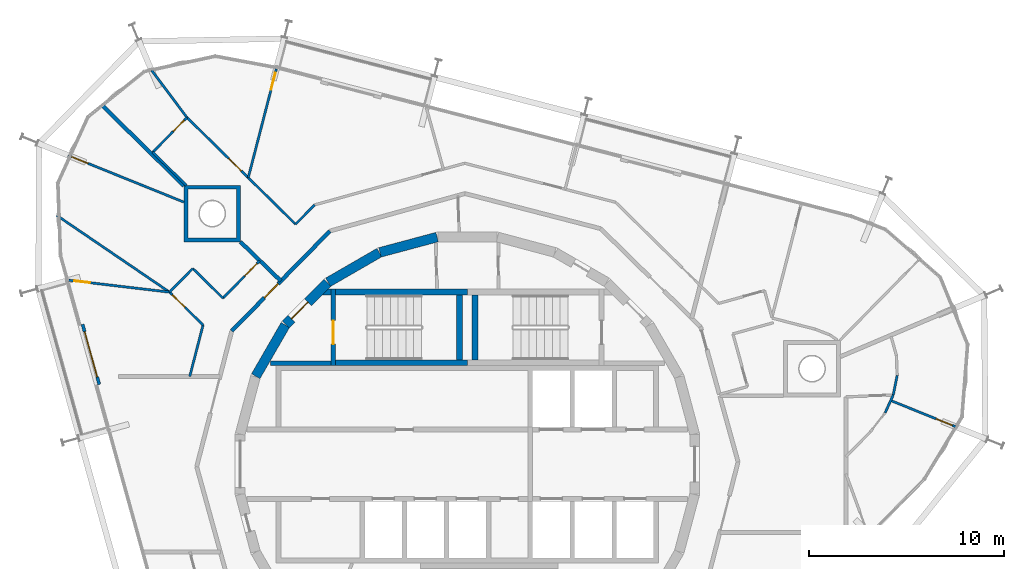
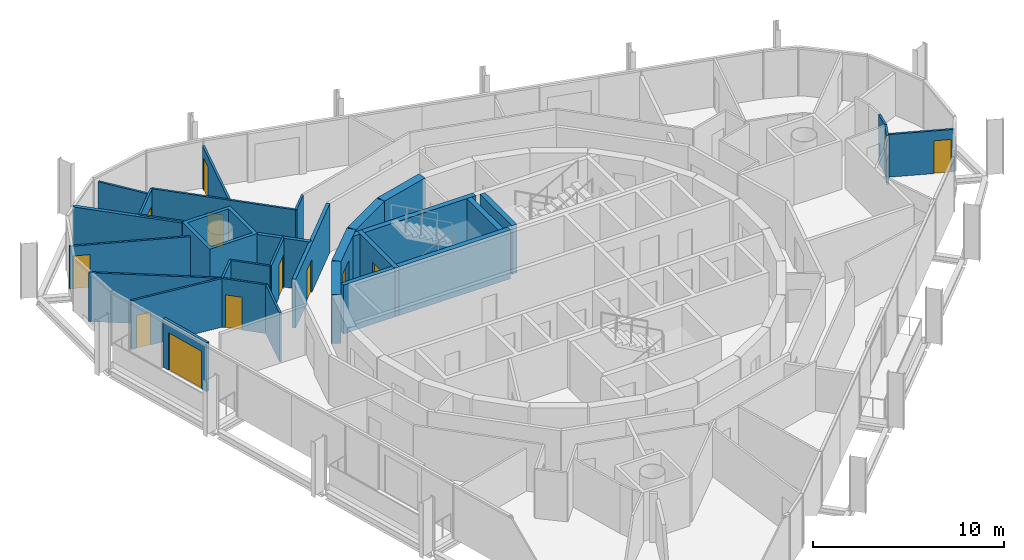
# One storey, part 12 of 15: 33 walls, 12 doors, 12 openings.
"""IFC4 building model written with IfcOpenShell, lengths in metres."""

from ifc_helpers import new_model, si_unit, direction, frame, frame_2d, origin, place, context, subcontext, project, spatial, polyline, rectangle, outline, extrude, material, layer, layer_set, type_object, element, fill, save


model = new_model("IFC4")

# Units and contexts
model_context = context("Model", 3, precision=1e-05, world=origin(), true_north=direction((0.0, 1.0)))
body_context = subcontext(model_context, "Body", "Model", "MODEL_VIEW")
ifc_project = project(units=[si_unit("LENGTHUNIT", "METRE"), si_unit("AREAUNIT", "SQUARE_METRE"), si_unit("VOLUMEUNIT", "CUBIC_METRE"), si_unit("PLANEANGLEUNIT", "RADIAN"), si_unit("MASSUNIT", "GRAM", prefix="KILO")], contexts=[model_context])

# Site, building, storey
site_placement = place(None, origin())
site = spatial("IfcSite", under=ifc_project, at=site_placement, CompositionType="ELEMENT")
building_placement = place(site_placement, origin())
building = spatial("IfcBuilding", under=site, at=building_placement, Name="Spindle Arch Residences", CompositionType="ELEMENT")
storey_placement = place(building_placement, frame((0.0, 0.0, 308.699951171875)))
storey = spatial("IfcBuildingStorey", under=building, at=storey_placement, Name="L79", CompositionType="ELEMENT", Elevation=308.699951171875)

# Walls
ifc_material_1 = material(Name="Concrete C50/60", Category="concrete")
ifc_layer_1 = layer(ifc_material_1, 0.5)
ifc_layer_set_1 = layer_set([ifc_layer_1], Name="Core outline wall 500")
wall_type_1 = type_object("IfcWallType", Name="Core outline wall 500", PredefinedType="SHEAR", material=ifc_layer_set_1)
for number, where, z_axis, x_axis, name in (
    (1, (-1.5498046875, 11.642822265625, 0.0), (0.0, 0.0, 1.0), (-0.965948410781, -0.258734743916, 0.0), "Core outline wall 13"),
    (2, (-4.510498046875, 10.84521484375, 0.0), (0.0, 0.0, 1.0), (-0.865975092491, -0.500087131594, 0.0), "Core outline wall 14"),
):
    element("IfcWall", number, at=place(storey_placement, frame(where, z_axis=z_axis, x_axis=x_axis)), inside=storey, type_object=wall_type_1, Name=name, PredefinedType="SHEAR", context=body_context, shape_type="SweptSolid", body=[
        extrude(rectangle(XDim=3.03271484375, YDim=0.5, at=frame_2d((1.516357421875, 0.0))), origin(), (0.0, 0.0, 1.0), 3.1201171875),
    ])

# Wall, opening, door
wall_1_placement = place(storey_placement, frame((-7.163818359375, 9.30810546875, 0.0), z_axis=(0.0, 0.0, 1.0), x_axis=(-0.707106781187, -0.707106781187, 0.0)))
wall_1 = element("IfcWall", 3, at=wall_1_placement, inside=storey, type_object=wall_type_1, Name="Core outline wall 15", PredefinedType="SHEAR", context=body_context, shape_type="SweptSolid", body=[
    extrude(rectangle(XDim=3.032470703125, YDim=0.5, at=frame_2d((1.51611328125, 0.0))), origin(), (0.0, 0.0, 1.0), 3.1201171875),
])
opening_1_placement = place(wall_1_placement, frame((1.416259765625, 0.0, 0.0)))
opening_1 = element("IfcOpeningElement", 4, at=opening_1_placement, cuts=wall_1, Name="Opening R8B1-AD02", PredefinedType="OPENING", context=body_context, shape_type="SweptSolid", body=[
    extrude(rectangle(XDim=1.199951171875, YDim=2.10009765625, at=frame_2d((0.60009765625, 1.050048828125))), frame((0.0, 0.260009765625, 0.0), z_axis=(0.0, -1.0, 0.0), x_axis=(1.0, 0.0, 0.0)), (0.0, 0.0, 1.0), 0.52001953125),
])
ifc_material_2 = material(Name="Steel, fire-resisting door", Category="steel")
door_type_1 = type_object("IfcDoorType", Name="Stair airlock door 1200x2100", OperationType="SINGLE_SWING_LEFT", PredefinedType="DOOR", material=ifc_material_2)
door_1_placement = place(opening_1_placement, origin())
door_1 = element("IfcDoor", 5, at=door_1_placement, inside=storey, type_object=door_type_1, Name="Stair airlock door R8B1-AD02", OperationType="SINGLE_SWING_RIGHT", OverallHeight=2.10009765625, OverallWidth=1.199951171875, PredefinedType="DOOR", context=body_context, shape_type="SweptSolid", body=[
    extrude(rectangle(XDim=1.199951171875, YDim=2.10009765625, at=frame_2d((0.60009765625, 1.050048828125))), frame((0.0, 0.02490234375, 0.0), z_axis=(0.0, -1.0, 0.0), x_axis=(1.0, 0.0, 0.0)), (0.0, 0.0, 1.0), 0.050048828125),
])
fill(opening_1, door_1)

# Wall
wall_2_placement = place(storey_placement, frame((-9.32861328125, 7.13671875, 0.0), z_axis=(0.0, 0.0, 1.0), x_axis=(-0.500087131594, -0.865975092491, 0.0)))
element("IfcWall", 6, at=wall_2_placement, inside=storey, type_object=wall_type_1, Name="Core outline wall 16", PredefinedType="SHEAR", context=body_context, shape_type="SweptSolid", body=[
    extrude(rectangle(XDim=3.03271484375, YDim=0.5, at=frame_2d((1.516357421875, 0.0))), origin(), (0.0, 0.0, 1.0), 3.1201171875),
])

# Wall, opening, door
ifc_material_3 = material(Name="Calcium silicate block, plastered")
ifc_layer_2 = layer(ifc_material_3, 0.199951171875)
ifc_layer_set_2 = layer_set([ifc_layer_2], Name="Corridor wall 200")
wall_type_2 = type_object("IfcWallType", Name="Corridor wall 200", PredefinedType="STANDARD", material=ifc_layer_set_2)
wall_3_placement = place(storey_placement, frame((-7.041015625, 11.953125, 0.0), z_axis=(0.0, 0.0, 1.0), x_axis=(-0.70090916255, -0.713250549143, 0.0)))
wall_3 = element("IfcWall", 7, at=wall_3_placement, inside=storey, type_object=wall_type_2, Name="Corridor wall R8B1-W012", PredefinedType="STANDARD", context=body_context, shape_type="SweptSolid", body=[
    extrude(rectangle(XDim=7.180908203125, YDim=0.199951171875, at=frame_2d((3.59033203125, 0.0))), origin(), (0.0, 0.0, 1.0), 3.1201171875),
])
opening_2_placement = place(wall_3_placement, frame((3.79052734375, 0.0, 0.0)))
opening_2 = element("IfcOpeningElement", 8, at=opening_2_placement, cuts=wall_3, Name="Opening R8B1-FD03", PredefinedType="OPENING", context=body_context, shape_type="SweptSolid", body=[
    extrude(rectangle(XDim=1.0, YDim=2.10009765625, at=frame_2d((0.5, 1.050048828125))), frame((0.0, 0.10986328125, 0.0), z_axis=(0.0, -1.0, 0.0), x_axis=(1.0, 0.0, 0.0)), (0.0, 0.0, 1.0), 0.219970703125),
])
ifc_material_4 = material(Name="Timber, fire-resisting door set", Category="wood")
door_type_2 = type_object("IfcDoorType", Name="Flat entrance door 1000x2100", OperationType="NOTDEFINED", PredefinedType="DOOR", material=ifc_material_4)
door_2_placement = place(opening_2_placement, origin())
door_2 = element("IfcDoor", 9, at=door_2_placement, inside=storey, type_object=door_type_2, Name="Flat entrance door R8B1-FD03", OperationType="SINGLE_SWING_LEFT", OverallHeight=2.10009765625, OverallWidth=1.0, PredefinedType="DOOR", context=body_context, shape_type="SweptSolid", body=[
    extrude(rectangle(XDim=1.0, YDim=2.10009765625, at=frame_2d((0.5, 1.050048828125))), frame((0.0, 0.02490234375, 0.0), z_axis=(0.0, -1.0, 0.0), x_axis=(1.0, 0.0, 0.0)), (0.0, 0.0, 1.0), 0.050048828125),
])
fill(opening_2, door_2)

# Wall
ifc_material_5 = material(Name="Plasterboard on steel studs", Category="steel")
ifc_layer_3 = layer(ifc_material_5, 0.1201171875)
ifc_layer_set_3 = layer_set([ifc_layer_3], Name="Flat partition 120")
wall_type_3 = type_object("IfcWallType", Name="Flat partition 120", PredefinedType="PARTITIONING", material=ifc_layer_set_3)
wall_4_placement = place(storey_placement, frame((-7.8291015625, 13.291259765625, 0.0), z_axis=(0.0, 0.0, 1.0), x_axis=(-0.700840583087, -0.713317935494, 0.0)))
element("IfcWall", 10, at=wall_4_placement, inside=storey, type_object=wall_type_3, Name="Flat partition R8B1-W043", PredefinedType="PARTITIONING", context=body_context, shape_type="SweptSolid", body=[
    extrude(rectangle(XDim=1.38916015625, YDim=0.1201171875, at=frame_2d((0.694580078125, 0.0))), origin(), (0.0, 0.0, 1.0), 3.1201171875),
])

# Wall, opening, door
wall_5_placement = place(storey_placement, frame((-8.802734375, 12.30029296875, 0.0), z_axis=(0.0, 0.0, 1.0), x_axis=(-0.713240430861, 0.700919458844, 0.0)))
wall_5 = element("IfcWall", 11, at=wall_5_placement, inside=storey, type_object=wall_type_3, Name="Flat partition R8B1-W044", PredefinedType="PARTITIONING", context=body_context, shape_type="SweptSolid", body=[
    extrude(rectangle(XDim=7.80712890625, YDim=0.1201171875, at=frame_2d((3.903564453125, 0.0))), origin(), (0.0, 0.0, 1.0), 3.1201171875),
])
opening_3_placement = place(wall_5_placement, frame((3.901123046875, 0.0, 0.0)))
opening_3 = element("IfcOpeningElement", 12, at=opening_3_placement, cuts=wall_5, Name="Opening R8B1-ID07", PredefinedType="OPENING", context=body_context, shape_type="SweptSolid", body=[
    extrude(rectangle(XDim=0.89990234375, YDim=2.10009765625, at=frame_2d((0.449951171875, 1.050048828125))), frame((0.0, 0.070068359375, 0.0), z_axis=(0.0, -1.0, 0.0), x_axis=(1.0, 0.0, 0.0)), (0.0, 0.0, 1.0), 0.14013671875),
])
ifc_material_6 = material(Name="Timber door set", Category="wood")
door_type_3 = type_object("IfcDoorType", Name="Room door 900x2100", OperationType="NOTDEFINED", PredefinedType="DOOR", material=ifc_material_6)
door_3_placement = place(opening_3_placement, origin())
door_3 = element("IfcDoor", 13, at=door_3_placement, inside=storey, type_object=door_type_3, Name="Room door R8B1-ID07", OperationType="SINGLE_SWING_LEFT", OverallHeight=2.10009765625, OverallWidth=0.89990234375, PredefinedType="DOOR", context=body_context, shape_type="SweptSolid", body=[
    extrude(rectangle(XDim=0.89990234375, YDim=2.10009765625, at=frame_2d((0.449951171875, 1.050048828125))), frame((0.0, 0.02490234375, 0.0), z_axis=(0.0, -1.0, 0.0), x_axis=(1.0, 0.0, 0.0)), (0.0, 0.0, 1.0), 0.050048828125),
])
fill(opening_3, door_3)

wall_6_placement = place(storey_placement, frame((-14.37109375, 17.7724609375, 0.0), z_axis=(0.0, 0.0, 1.0), x_axis=(-0.700928101034, -0.713231937859, 0.0)))
wall_6 = element("IfcWall", 14, at=wall_6_placement, inside=storey, type_object=wall_type_3, Name="Flat partition R8B1-W045", PredefinedType="PARTITIONING", context=body_context, shape_type="SweptSolid", body=[
    extrude(rectangle(XDim=2.500244140625, YDim=0.1201171875, at=frame_2d((1.25, 0.0))), origin(), (0.0, 0.0, 1.0), 3.1201171875),
])
opening_4_placement = place(wall_6_placement, frame((0.199951171875, 0.0, 0.0)))
opening_4 = element("IfcOpeningElement", 15, at=opening_4_placement, cuts=wall_6, Name="Opening R8B1-BD02", PredefinedType="OPENING", context=body_context, shape_type="SweptSolid", body=[
    extrude(rectangle(XDim=0.800048828125, YDim=2.10009765625, at=frame_2d((0.39990234375, 1.050048828125))), frame((0.0, 0.070068359375, 0.0), z_axis=(0.0, -1.0, 0.0), x_axis=(1.0, 0.0, 0.0)), (0.0, 0.0, 1.0), 0.14013671875),
])
ifc_material_7 = material(Name="Timber door set", Category="wood")
door_type_4 = type_object("IfcDoorType", Name="Bathroom door 800x2100", OperationType="NOTDEFINED", PredefinedType="DOOR", material=ifc_material_7)
door_4_placement = place(opening_4_placement, origin())
door_4 = element("IfcDoor", 16, at=door_4_placement, inside=storey, type_object=door_type_4, Name="Bathroom door R8B1-BD02", OperationType="SINGLE_SWING_RIGHT", OverallHeight=2.10009765625, OverallWidth=0.800048828125, PredefinedType="DOOR", context=body_context, shape_type="SweptSolid", body=[
    extrude(rectangle(XDim=0.800048828125, YDim=2.10009765625, at=frame_2d((0.39990234375, 1.050048828125))), frame((0.0, 0.02490234375, 0.0), z_axis=(0.0, -1.0, 0.0), x_axis=(1.0, 0.0, 0.0)), (0.0, 0.0, 1.0), 0.050048828125),
])
fill(opening_4, door_4)

# Wall
wall_7_placement = place(storey_placement, frame((-16.12353515625, 15.9892578125, 0.0), z_axis=(0.0, 0.0, 1.0), x_axis=(0.713298294795, -0.700860572898, 0.0)))
element("IfcWall", 17, at=wall_7_placement, inside=storey, type_object=wall_type_3, Name="Flat partition R8B1-W046", PredefinedType="PARTITIONING", context=body_context, shape_type="SweptSolid", body=[
    extrude(rectangle(XDim=2.414306640625, YDim=0.1201171875, at=frame_2d((1.20703125, 0.0))), origin(), (0.0, 0.0, 1.0), 3.1201171875),
])

# Wall, opening, door
wall_8_placement = place(storey_placement, frame((-10.64208984375, 10.4287109375, 0.0), z_axis=(0.0, 0.0, 1.0), x_axis=(-0.700897237058, -0.713262268092, 0.0)))
wall_8 = element("IfcWall", 18, at=wall_8_placement, inside=storey, type_object=wall_type_3, Name="Flat partition R8B1-W051", PredefinedType="PARTITIONING", context=body_context, shape_type="SweptSolid", body=[
    extrude(rectangle(XDim=2.685302734375, YDim=0.1201171875, at=frame_2d((1.3427734375, 0.0))), origin(), (0.0, 0.0, 1.0), 3.1201171875),
])
opening_5_placement = place(wall_8_placement, frame((0.199951171875, 0.0, 0.0)))
opening_5 = element("IfcOpeningElement", 19, at=opening_5_placement, cuts=wall_8, Name="Opening R8B1-ID09", PredefinedType="OPENING", context=body_context, shape_type="SweptSolid", body=[
    extrude(rectangle(XDim=0.89990234375, YDim=2.10009765625, at=frame_2d((0.449951171875, 1.050048828125))), frame((0.0, 0.070068359375, 0.0), z_axis=(0.0, -1.0, 0.0), x_axis=(1.0, 0.0, 0.0)), (0.0, 0.0, 1.0), 0.14013671875),
])
door_5_placement = place(opening_5_placement, origin())
door_5 = element("IfcDoor", 20, at=door_5_placement, inside=storey, type_object=door_type_3, Name="Room door R8B1-ID09", OperationType="SINGLE_SWING_LEFT", OverallHeight=2.10009765625, OverallWidth=0.89990234375, PredefinedType="DOOR", context=body_context, shape_type="SweptSolid", body=[
    extrude(rectangle(XDim=0.89990234375, YDim=2.10009765625, at=frame_2d((0.449951171875, 1.050048828125))), frame((0.0, 0.02490234375, 0.0), z_axis=(0.0, -1.0, 0.0), x_axis=(1.0, 0.0, 0.0)), (0.0, 0.0, 1.0), 0.050048828125),
])
fill(opening_5, door_5)

# Walls
wall_9_placement = place(storey_placement, frame((-12.524169921875, 8.513427734375, 0.0), z_axis=(0.0, 0.0, 1.0), x_axis=(-0.713272241211, 0.700887087852, 0.0)))
element("IfcWall", 21, at=wall_9_placement, inside=storey, type_object=wall_type_3, Name="Flat partition R8B1-W052", PredefinedType="PARTITIONING", context=body_context, shape_type="SweptSolid", body=[
    extrude(rectangle(XDim=2.16845703125, YDim=0.1201171875, at=frame_2d((1.084228515625, 0.0))), origin(), (0.0, 0.0, 1.0), 3.1201171875),
])
wall_10_placement = place(storey_placement, frame((-14.07080078125, 10.033203125, 0.0), z_axis=(0.0, 0.0, 1.0), x_axis=(-0.700903812832, -0.713255806255, 0.0)))
element("IfcWall", 22, at=wall_10_placement, inside=storey, type_object=wall_type_3, Name="Flat partition R8B1-W053", PredefinedType="PARTITIONING", context=body_context, shape_type="SweptSolid", body=[
    extrude(rectangle(XDim=1.69970703125, YDim=0.1201171875, at=frame_2d((0.849853515625, 0.0))), origin(), (0.0, 0.0, 1.0), 3.1201171875),
])

# Wall, opening, door
wall_11_placement = place(storey_placement, frame((-15.26220703125, 8.82080078125, 0.0), z_axis=(0.0, 0.0, 1.0), x_axis=(0.713216332019, -0.700943980459, 0.0)))
wall_11 = element("IfcWall", 23, at=wall_11_placement, inside=storey, type_object=wall_type_3, Name="Flat partition R8B1-W054", PredefinedType="PARTITIONING", context=body_context, shape_type="SweptSolid", body=[
    extrude(rectangle(XDim=2.4072265625, YDim=0.1201171875, at=frame_2d((1.20361328125, 0.0))), origin(), (0.0, 0.0, 1.0), 3.1201171875),
])
opening_6_placement = place(wall_11_placement, frame((0.199951171875, 0.0, 0.0)))
opening_6 = element("IfcOpeningElement", 24, at=opening_6_placement, cuts=wall_11, Name="Opening R8B1-ID10", PredefinedType="OPENING", context=body_context, shape_type="SweptSolid", body=[
    extrude(rectangle(XDim=0.89990234375, YDim=2.10009765625, at=frame_2d((0.449951171875, 1.050048828125))), frame((0.0, 0.070068359375, 0.0), z_axis=(0.0, -1.0, 0.0), x_axis=(1.0, 0.0, 0.0)), (0.0, 0.0, 1.0), 0.14013671875),
])
door_6_placement = place(opening_6_placement, origin())
door_6 = element("IfcDoor", 25, at=door_6_placement, inside=storey, type_object=door_type_3, Name="Room door R8B1-ID10", OperationType="SINGLE_SWING_LEFT", OverallHeight=2.10009765625, OverallWidth=0.89990234375, PredefinedType="DOOR", context=body_context, shape_type="SweptSolid", body=[
    extrude(rectangle(XDim=0.89990234375, YDim=2.10009765625, at=frame_2d((0.449951171875, 1.050048828125))), frame((0.0, 0.02490234375, 0.0), z_axis=(0.0, -1.0, 0.0), x_axis=(1.0, 0.0, 0.0)), (0.0, 0.0, 1.0), 0.050048828125),
])
fill(opening_6, door_6)

# Walls
wall_12_placement = place(storey_placement, frame((-13.54541015625, 7.133544921875, 0.0), z_axis=(0.0, 0.0, 1.0), x_axis=(-0.250320452157, -0.968163039592, 0.0)))
element("IfcWall", 26, at=wall_12_placement, inside=storey, type_object=wall_type_3, Name="Flat partition R8B1-W055", PredefinedType="PARTITIONING", context=body_context, shape_type="SweptSolid", body=[
    extrude(rectangle(XDim=2.72021484375, YDim=0.1201171875, at=frame_2d((1.360107421875, 0.0))), origin(), (0.0, 0.0, 1.0), 3.1201171875),
])
wall_13_placement = place(storey_placement, frame((-21.05078125, 12.760009765625, 0.0), z_axis=(0.0, 0.0, 1.0), x_axis=(0.826728647395, -0.562600874134, 0.0)))
element("IfcWall", 27, at=wall_13_placement, inside=storey, type_object=wall_type_3, Name="Flat partition R8B1-W057", PredefinedType="PARTITIONING", context=body_context, shape_type="SweptSolid", body=[
    extrude(rectangle(XDim=7.001708984375, YDim=0.1201171875, at=frame_2d((3.5009765625, 0.0))), origin(), (0.0, 0.0, 1.0), 3.1201171875),
])

# Wall, opening, door
wall_14_placement = place(storey_placement, frame((-20.427978515625, 9.431396484375, 0.0), z_axis=(0.0, 0.0, 1.0), x_axis=(0.993086702471, -0.117383139226, 0.0)))
wall_14 = element("IfcWall", 28, at=wall_14_placement, inside=storey, type_object=wall_type_3, Name="Flat partition R8B1-W058", PredefinedType="PARTITIONING", context=body_context, shape_type="SweptSolid", body=[
    extrude(rectangle(XDim=5.20166015625, YDim=0.1201171875, at=frame_2d((2.600830078125, 0.0))), origin(), (0.0, 0.0, 1.0), 3.1201171875),
])
opening_7_placement = place(wall_14_placement, frame((0.300048828125, 0.0, 0.0)))
opening_7 = element("IfcOpeningElement", 29, at=opening_7_placement, cuts=wall_14, Name="Opening R8B1-BD03", PredefinedType="OPENING", context=body_context, shape_type="SweptSolid", body=[
    extrude(rectangle(XDim=0.800048828125, YDim=2.10009765625, at=frame_2d((0.39990234375, 1.050048828125))), frame((0.0, 0.070068359375, 0.0), z_axis=(0.0, -1.0, 0.0), x_axis=(1.0, 0.0, 0.0)), (0.0, 0.0, 1.0), 0.14013671875),
])
door_7_placement = place(opening_7_placement, origin())
door_7 = element("IfcDoor", 30, at=door_7_placement, inside=storey, type_object=door_type_4, Name="Bathroom door R8B1-BD03", OperationType="SINGLE_SWING_LEFT", OverallHeight=2.10009765625, OverallWidth=0.800048828125, PredefinedType="DOOR", context=body_context, shape_type="SweptSolid", body=[
    extrude(rectangle(XDim=0.800048828125, YDim=2.10009765625, at=frame_2d((0.39990234375, 1.050048828125))), frame((0.0, 0.02490234375, 0.0), z_axis=(0.0, -1.0, 0.0), x_axis=(1.0, 0.0, 0.0)), (0.0, 0.0, 1.0), 0.050048828125),
])
fill(opening_7, door_7)

# Walls
wall_15_placement = place(storey_placement, frame((21.827880859375, 3.558349609375, 0.0), z_axis=(0.0, 0.0, 1.0), x_axis=(-0.414726005229, -0.909946339399, 0.0)))
element("IfcWall", 31, at=wall_15_placement, inside=storey, type_object=wall_type_3, Name="Flat partition R8B1-W079", PredefinedType="PARTITIONING", context=body_context, shape_type="SweptSolid", body=[
    extrude(rectangle(XDim=1.01611328125, YDim=0.1201171875, at=frame_2d((0.508056640625, 0.0))), origin(), (0.0, 0.0, 1.0), 3.1201171875),
])
wall_16_placement = place(storey_placement, frame((22.024658203125, 4.554931640625, 0.0), z_axis=(0.0, 0.0, 1.0), x_axis=(-0.193712169286, -0.981058405739, 0.0)))
element("IfcWall", 32, at=wall_16_placement, inside=storey, type_object=wall_type_3, Name="Flat partition R8B1-W086", PredefinedType="PARTITIONING", context=body_context, shape_type="SweptSolid", body=[
    extrude(rectangle(XDim=1.015869140625, YDim=0.1201171875, at=frame_2d((0.5078125, 0.0))), origin(), (0.0, 0.0, 1.0), 3.1201171875),
])

# Wall, opening, door
ifc_material_8 = material(Name="Plasterboard on steel studs", Category="steel")
ifc_layer_4 = layer(ifc_material_8, 0.1201171875)
ifc_layer_set_4 = layer_set([ifc_layer_4], Name="Flat partition 120 under beam 2730")
wall_type_4 = type_object("IfcWallType", Name="Flat partition 120 under beam 2730", PredefinedType="PARTITIONING", material=ifc_layer_set_4)
wall_17_placement = place(storey_placement, frame((-9.78662109375, 20.26025390625, 0.0), z_axis=(0.0, 0.0, 1.0), x_axis=(-0.250397207818, -0.968143191019, 0.0)))
wall_17 = element("IfcWall", 33, at=wall_17_placement, inside=storey, type_object=wall_type_4, Name="Flat partition R8B1-W049", PredefinedType="PARTITIONING", context=body_context, shape_type="SweptSolid", body=[
    extrude(rectangle(XDim=5.759521484375, YDim=0.1201171875, at=frame_2d((2.8798828125, 0.0))), origin(), (0.0, 0.0, 1.0), 2.72998046875),
])
opening_8_placement = place(wall_17_placement, frame((0.199951171875, 0.0, 0.0)))
opening_8 = element("IfcOpeningElement", 34, at=opening_8_placement, cuts=wall_17, Name="Opening R8B1-ID08", PredefinedType="OPENING", context=body_context, shape_type="SweptSolid", body=[
    extrude(rectangle(XDim=0.89990234375, YDim=2.10009765625, at=frame_2d((0.449951171875, 1.050048828125))), frame((0.0, 0.070068359375, 0.0), z_axis=(0.0, -1.0, 0.0), x_axis=(1.0, 0.0, 0.0)), (0.0, 0.0, 1.0), 0.14013671875),
])
door_8_placement = place(opening_8_placement, origin())
door_8 = element("IfcDoor", 35, at=door_8_placement, inside=storey, type_object=door_type_3, Name="Room door R8B1-ID08", OperationType="SINGLE_SWING_RIGHT", OverallHeight=2.10009765625, OverallWidth=0.89990234375, PredefinedType="DOOR", context=body_context, shape_type="SweptSolid", body=[
    extrude(rectangle(XDim=0.89990234375, YDim=2.10009765625, at=frame_2d((0.449951171875, 1.050048828125))), frame((0.0, 0.02490234375, 0.0), z_axis=(0.0, -1.0, 0.0), x_axis=(1.0, 0.0, 0.0)), (0.0, 0.0, 1.0), 0.050048828125),
])
fill(opening_8, door_8)

# Wall
wall_18_placement = place(storey_placement, frame((-16.177490234375, 20.183837890625, 0.0), z_axis=(0.0, 0.0, 1.0), x_axis=(0.599546131574, -0.800340200237, 0.0)))
element("IfcWall", 36, at=wall_18_placement, inside=storey, type_object=wall_type_4, Name="Flat partition R8B1-W050", PredefinedType="PARTITIONING", context=body_context, shape_type="SweptSolid", body=[
    extrude(rectangle(XDim=3.012939453125, YDim=0.1201171875, at=frame_2d((1.50634765625, 0.0))), origin(), (0.0, 0.0, 1.0), 2.72998046875),
])

# Wall, opening, door
wall_19_placement = place(storey_placement, frame((-20.46044921875, 15.83056640625, 0.0), z_axis=(0.0, 0.0, 1.0), x_axis=(0.927230380144, -0.374491417977, 0.0)))
wall_19 = element("IfcWall", 37, at=wall_19_placement, inside=storey, type_object=wall_type_4, Name="Flat partition R8B1-W056", PredefinedType="PARTITIONING", context=body_context, shape_type="SweptSolid", body=[
    extrude(rectangle(XDim=6.4033203125, YDim=0.1201171875, at=frame_2d((3.20166015625, 0.0))), origin(), (0.0, 0.0, 1.0), 2.72998046875),
])
opening_9_placement = place(wall_19_placement, frame((0.199951171875, 0.0, 0.0)))
opening_9 = element("IfcOpeningElement", 38, at=opening_9_placement, cuts=wall_19, Name="Opening R8B1-ID11", PredefinedType="OPENING", context=body_context, shape_type="SweptSolid", body=[
    extrude(rectangle(XDim=0.89990234375, YDim=2.10009765625, at=frame_2d((0.449951171875, 1.050048828125))), frame((0.0, 0.070068359375, 0.0), z_axis=(0.0, -1.0, 0.0), x_axis=(1.0, 0.0, 0.0)), (0.0, 0.0, 1.0), 0.14013671875),
])
door_9_placement = place(opening_9_placement, origin())
door_9 = element("IfcDoor", 39, at=door_9_placement, inside=storey, type_object=door_type_3, Name="Room door R8B1-ID11", OperationType="SINGLE_SWING_LEFT", OverallHeight=2.10009765625, OverallWidth=0.89990234375, PredefinedType="DOOR", context=body_context, shape_type="SweptSolid", body=[
    extrude(rectangle(XDim=0.89990234375, YDim=2.10009765625, at=frame_2d((0.449951171875, 1.050048828125))), frame((0.0, 0.02490234375, 0.0), z_axis=(0.0, -1.0, 0.0), x_axis=(1.0, 0.0, 0.0)), (0.0, 0.0, 1.0), 0.050048828125),
])
fill(opening_9, door_9)

wall_20_placement = place(storey_placement, frame((25.0361328125, 1.917236328125, 0.0), z_axis=(0.0, 0.0, 1.0), x_axis=(-0.927096540393, 0.374822631108, 0.0)))
wall_20 = element("IfcWall", 40, at=wall_20_placement, inside=storey, type_object=wall_type_4, Name="Flat partition R8B1-W082", PredefinedType="PARTITIONING", context=body_context, shape_type="SweptSolid", body=[
    extrude(rectangle(XDim=3.603271484375, YDim=0.1201171875, at=frame_2d((1.8017578125, 0.0))), origin(), (0.0, 0.0, 1.0), 2.72998046875),
])
opening_10_placement = place(wall_20_placement, frame((0.199951171875, 0.0, 0.0)))
opening_10 = element("IfcOpeningElement", 41, at=opening_10_placement, cuts=wall_20, Name="Opening R8B1-ID21", PredefinedType="OPENING", context=body_context, shape_type="SweptSolid", body=[
    extrude(rectangle(XDim=0.89990234375, YDim=2.10009765625, at=frame_2d((0.449951171875, 1.050048828125))), frame((0.0, 0.070068359375, 0.0), z_axis=(0.0, -1.0, 0.0), x_axis=(1.0, 0.0, 0.0)), (0.0, 0.0, 1.0), 0.14013671875),
])
door_10_placement = place(opening_10_placement, origin())
door_10 = element("IfcDoor", 42, at=door_10_placement, inside=storey, type_object=door_type_3, Name="Room door R8B1-ID21", OperationType="SINGLE_SWING_RIGHT", OverallHeight=2.10009765625, OverallWidth=0.89990234375, PredefinedType="DOOR", context=body_context, shape_type="SweptSolid", body=[
    extrude(rectangle(XDim=0.89990234375, YDim=2.10009765625, at=frame_2d((0.449951171875, 1.050048828125))), frame((0.0, 0.02490234375, 0.0), z_axis=(0.0, -1.0, 0.0), x_axis=(1.0, 0.0, 0.0)), (0.0, 0.0, 1.0), 0.050048828125),
])
fill(opening_10, door_10)

# Walls
ifc_material_9 = material(Name="Calcium silicate block, plastered")
ifc_layer_5 = layer(ifc_material_9, 0.199951171875)
ifc_layer_set_5 = layer_set([ifc_layer_5], Name="Flat party wall 200")
wall_type_5 = type_object("IfcWallType", Name="Flat party wall 200", PredefinedType="STANDARD", material=ifc_layer_set_5)
wall_21_placement = place(storey_placement, frame((-11.627197265625, 11.396484375, 0.0), z_axis=(0.0, 0.0, 1.0), x_axis=(0.718328882961, -0.695703683981, 0.0)))
element("IfcWall", 43, at=wall_21_placement, inside=storey, type_object=wall_type_5, Name="Flat party wall R8B1-W024", PredefinedType="STANDARD", context=body_context, shape_type="SweptSolid", body=[
    extrude(rectangle(XDim=2.881103515625, YDim=0.199951171875, at=frame_2d((1.4404296875, 0.0))), origin(), (0.0, 0.0, 1.0), 3.1201171875),
])
wall_22_placement = place(storey_placement, frame((-18.74072265625, 18.41650390625, 0.0), z_axis=(0.0, 0.0, 1.0), x_axis=(0.713252414586, -0.700907264256, 0.0)))
element("IfcWall", 44, at=wall_22_placement, inside=storey, type_object=wall_type_5, Name="Flat party wall R8B1-W025", PredefinedType="STANDARD", context=body_context, shape_type="SweptSolid", body=[
    extrude(rectangle(XDim=5.9130859375, YDim=0.199951171875, at=frame_2d((2.95654296875, 0.0))), origin(), (0.0, 0.0, 1.0), 3.1201171875),
])

# Wall, opening, door
ifc_material_10 = material(Name="Non-combustible mineral wool insulated aluminium faced external wall (K0)", Category="aluminium")
ifc_layer_6 = layer(ifc_material_10, 0.159912109375)
ifc_layer_set_6 = layer_set([ifc_layer_6], Name="Insulated external wall panel 160")
wall_type_6 = type_object("IfcWallType", Name="Insulated external wall panel 160", PredefinedType="STANDARD", material=ifc_layer_set_6)
wall_23_placement = place(storey_placement, frame((-19.71826171875, 7.17138671875, 0.0), z_axis=(0.0, 0.0, 1.0), x_axis=(0.267266077957, -0.963622770369, 0.0)))
wall_23 = element("IfcWall", 45, at=wall_23_placement, inside=storey, type_object=wall_type_6, Name="External wall L79 bay 12", PredefinedType="STANDARD", context=body_context, shape_type="SweptSolid", body=[
    extrude(rectangle(XDim=3.199951171875, YDim=0.159912109375, at=frame_2d((1.60009765625, 0.0))), origin(), (0.0, 0.0, 1.0), 3.1201171875),
])
opening_11_placement = place(wall_23_placement, frame((0.39990234375, 0.0, 0.0)))
opening_11 = element("IfcOpeningElement", 46, at=opening_11_placement, cuts=wall_23, Name="Opening BD12", PredefinedType="OPENING", context=body_context, shape_type="SweptSolid", body=[
    extrude(rectangle(XDim=2.39990234375, YDim=2.39990234375, at=frame_2d((1.199951171875, 1.199951171875))), frame((0.0, 0.08984375, 0.0), z_axis=(0.0, -1.0, 0.0), x_axis=(1.0, 0.0, 0.0)), (0.0, 0.0, 1.0), 0.179931640625),
])
ifc_material_11 = material(Name="Bronze aluminium frame, tinted double glazing", Category="aluminium")
door_type_5 = type_object("IfcDoorType", Name="Sliding glazed balcony door 2400x2400", OperationType="DOUBLE_DOOR_SLIDING", PredefinedType="DOOR", material=ifc_material_11)
door_11_placement = place(opening_11_placement, origin())
door_11 = element("IfcDoor", 47, at=door_11_placement, inside=storey, type_object=door_type_5, Name="Balcony door BD12", OperationType="DOUBLE_DOOR_SLIDING", OverallHeight=2.39990234375, OverallWidth=2.39990234375, PredefinedType="DOOR", context=body_context, shape_type="SweptSolid", body=[
    extrude(rectangle(XDim=2.39990234375, YDim=2.39990234375, at=frame_2d((1.199951171875, 1.199951171875))), frame((0.0, 0.02490234375, 0.0), z_axis=(0.0, -1.0, 0.0), x_axis=(1.0, 0.0, 0.0)), (0.0, 0.0, 1.0), 0.050048828125),
])
fill(opening_11, door_11)

# Walls
ifc_material_12 = material(Name="Calcium silicate block, plastered")
ifc_layer_7 = layer(ifc_material_12, 0.199951171875)
ifc_layer_set_7 = layer_set([ifc_layer_7], Name="Mega-column casing wall 200")
wall_type_7 = type_object("IfcWallType", Name="Mega-column casing wall 200", PredefinedType="STANDARD", material=ifc_layer_set_7)
wall_24_placement = place(storey_placement, origin())
element("IfcWall", 48, at=wall_24_placement, inside=storey, type_object=wall_type_7, Name="Mega-column casing wall R8B1-WC02", PredefinedType="STANDARD", context=body_context, shape_type="SweptSolid", body=[
    extrude(outline(polyline([(-11.623291015625, 14.297119140625), (-11.623291015625, 11.397216796875), (-14.523193359375, 11.397216796875), (-14.523193359375, 14.297119140625), (-11.623291015625, 14.297119140625)]), holes=[polyline([(-14.3232421875, 11.59716796875), (-11.8232421875, 11.59716796875), (-11.8232421875, 14.09716796875), (-14.3232421875, 14.09716796875), (-14.3232421875, 11.59716796875)])]), origin(), (0.0, 0.0, 1.0), 3.1201171875),
])
ifc_material_13 = material(Name="Concrete C40/50", Category="concrete")
ifc_layer_8 = layer(ifc_material_13, 0.25)
ifc_layer_set_8 = layer_set([ifc_layer_8], Name="Stair airlock wall 250")
wall_type_8 = type_object("IfcWallType", Name="Stair airlock wall 250", PredefinedType="SHEAR", material=ifc_layer_set_8)
wall_25_placement = place(storey_placement, frame((-7.0, 5.175048828125, 0.0), z_axis=(0.0, 0.0, 1.0), x_axis=(-1.0, 0.0, 0.0)))
element("IfcWall", 49, at=wall_25_placement, inside=storey, type_object=wall_type_8, Name="Stair ST-2 airlock wall S", PredefinedType="SHEAR", context=body_context, shape_type="SweptSolid", body=[
    extrude(rectangle(XDim=3.10009765625, YDim=0.25, at=frame_2d((1.550048828125, 0.0))), origin(), (0.0, 0.0, 1.0), 3.1201171875),
])
ifc_material_14 = material(Name="Concrete C40/50", Category="concrete")
wall_type_9 = type_object("IfcWallType", Name="Stair airlock wall profile", PredefinedType="SHEAR", material=ifc_material_14)
wall_26_placement = place(storey_placement, origin())
element("IfcWall", 50, at=wall_26_placement, inside=storey, type_object=wall_type_9, Name="Stair ST-2 airlock wall N", PredefinedType="SHEAR", context=body_context, shape_type="SweptSolid", body=[
    extrude(outline(polyline([(-7.148193359375, 8.969970703125), (-7.0, 8.969970703125), (-7.0, 8.669921875), (-7.4482421875, 8.669921875), (-7.148193359375, 8.969970703125)])), origin(), (0.0, 0.0, 1.0), 3.1201171875),
])

# Wall, opening, door
ifc_material_15 = material(Name="Concrete C50/60", Category="concrete")
ifc_layer_9 = layer(ifc_material_15, 0.25)
ifc_layer_set_9 = layer_set([ifc_layer_9], Name="Stair enclosure wall 250")
wall_type_10 = type_object("IfcWallType", Name="Stair enclosure wall 250", PredefinedType="SHEAR", material=ifc_layer_set_9)
wall_27_placement = place(storey_placement, frame((-6.875, 8.969970703125, 0.0), z_axis=(0.0, 0.0, 1.0), x_axis=(0.0, -1.0, 0.0)))
wall_27 = element("IfcWall", 51, at=wall_27_placement, inside=storey, type_object=wall_type_10, Name="Stair ST-2 door wall", PredefinedType="SHEAR", context=body_context, shape_type="SweptSolid", body=[
    extrude(rectangle(XDim=3.919921875, YDim=0.25, at=frame_2d((1.9599609375, 0.0))), origin(), (0.0, 0.0, 1.0), 3.1201171875),
])
opening_12_placement = place(wall_27_placement, frame((1.610107421875, 0.0, 0.0)))
opening_12 = element("IfcOpeningElement", 52, at=opening_12_placement, cuts=wall_27, Name="Opening R8B1-SD02", PredefinedType="OPENING", context=body_context, shape_type="SweptSolid", body=[
    extrude(rectangle(XDim=1.199951171875, YDim=2.10009765625, at=frame_2d((0.60009765625, 1.050048828125))), frame((0.0, 0.135009765625, 0.0), z_axis=(0.0, -1.0, 0.0), x_axis=(1.0, 0.0, 0.0)), (0.0, 0.0, 1.0), 0.27001953125),
])
ifc_material_16 = material(Name="Steel, fire-resisting door", Category="steel")
door_type_6 = type_object("IfcDoorType", Name="Stair door 1200x2100", OperationType="SINGLE_SWING_RIGHT", PredefinedType="DOOR", material=ifc_material_16)
door_12_placement = place(opening_12_placement, origin())
door_12 = element("IfcDoor", 53, at=door_12_placement, inside=storey, type_object=door_type_6, Name="Stair door R8B1-SD02", OperationType="SINGLE_SWING_LEFT", OverallHeight=2.10009765625, OverallWidth=1.199951171875, PredefinedType="DOOR", context=body_context, shape_type="SweptSolid", body=[
    extrude(rectangle(XDim=1.199951171875, YDim=2.10009765625, at=frame_2d((0.60009765625, 1.050048828125))), frame((0.0, 0.02490234375, 0.0), z_axis=(0.0, -1.0, 0.0), x_axis=(1.0, 0.0, 0.0)), (0.0, 0.0, 1.0), 0.050048828125),
])
fill(opening_12, door_12)

# Walls
ifc_material_17 = material(Name="Concrete C50/60", Category="concrete")
ifc_layer_10 = layer(ifc_material_17, 0.300048828125)
ifc_layer_set_10 = layer_set([ifc_layer_10], Name="Stair enclosure wall 300")
wall_type_11 = type_object("IfcWallType", Name="Stair enclosure wall 300", PredefinedType="SHEAR", material=ifc_layer_set_10)
wall_28_placement = place(storey_placement, frame((0.39990234375, 5.35009765625, 0.0), z_axis=(0.0, 0.0, 1.0), x_axis=(0.0, 1.0, 0.0)))
element("IfcWall", 54, at=wall_28_placement, inside=storey, type_object=wall_type_11, Name="Stair ST-1 enclosure wall F", PredefinedType="SHEAR", context=body_context, shape_type="SweptSolid", body=[
    extrude(rectangle(XDim=3.31982421875, YDim=0.300048828125, at=frame_2d((1.659912109375, 0.0))), origin(), (0.0, 0.0, 1.0), 3.1201171875),
])
for number, where, z_axis, x_axis, name in (
    (55, (-6.75, 5.199951171875, 0.0), (0.0, 0.0, 1.0), (1.0, 0.0, 0.0), "Stair ST-2 enclosure wall S"),
    (56, (-6.75, 8.820068359375, 0.0), (0.0, 0.0, 1.0), (1.0, 0.0, 0.0), "Stair ST-2 enclosure wall N"),
):
    element("IfcWall", number, at=place(storey_placement, frame(where, z_axis=z_axis, x_axis=x_axis)), inside=storey, type_object=wall_type_11, Name=name, PredefinedType="SHEAR", context=body_context, shape_type="SweptSolid", body=[
        extrude(rectangle(XDim=6.75, YDim=0.300048828125, at=frame_2d((3.375, 0.0))), origin(), (0.0, 0.0, 1.0), 3.1201171875),
    ])
wall_29_placement = place(storey_placement, frame((-0.39990234375, 5.35009765625, 0.0), z_axis=(0.0, 0.0, 1.0), x_axis=(0.0, 1.0, 0.0)))
element("IfcWall", 57, at=wall_29_placement, inside=storey, type_object=wall_type_11, Name="Stair ST-2 enclosure wall F", PredefinedType="SHEAR", context=body_context, shape_type="SweptSolid", body=[
    extrude(rectangle(XDim=3.31982421875, YDim=0.300048828125, at=frame_2d((1.659912109375, 0.0))), origin(), (0.0, 0.0, 1.0), 3.1201171875),
])

save(model, "model.ifc")
